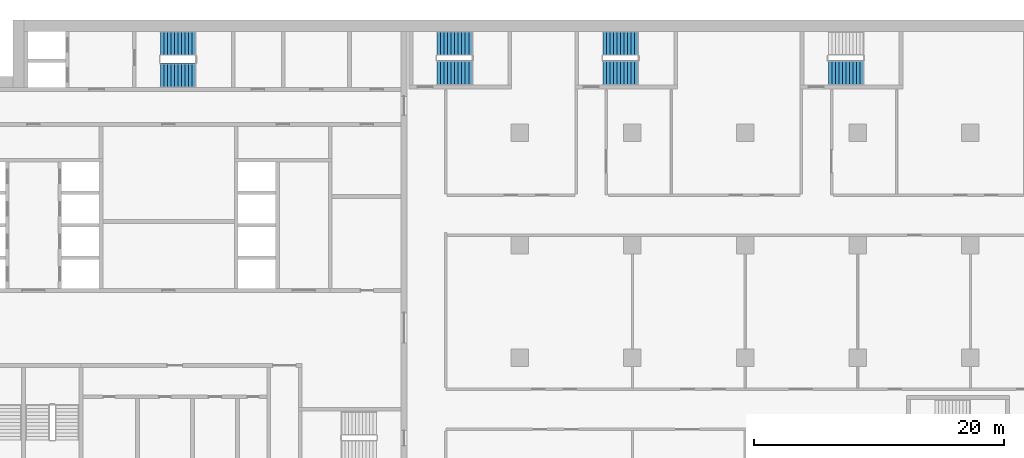
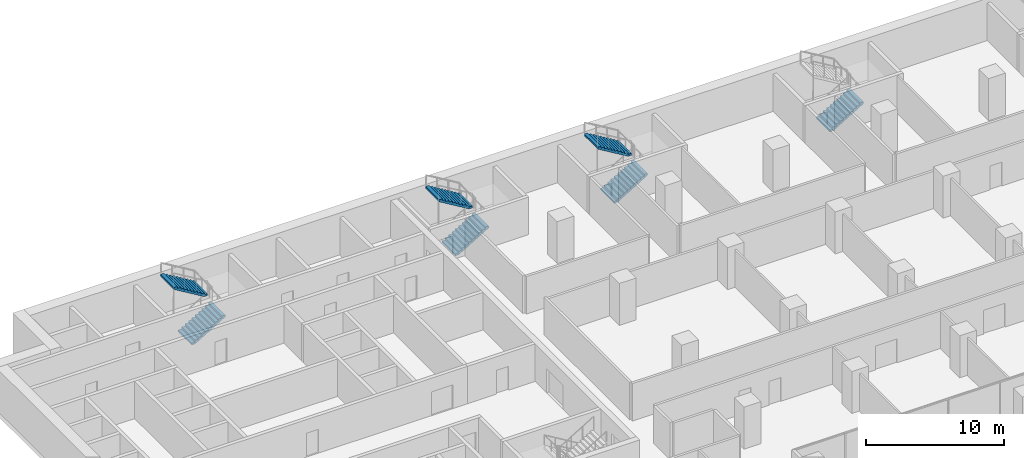
# One storey, part 21 of 28: 7 stair flights, 4 elements without a shape of their own.
"""IFC4 building model written with IfcOpenShell, lengths in metres."""

from ifc_helpers import new_model, si_unit, direction, frame, origin, place, context, subcontext, project, spatial, polyline, outline, extrude, material, type_object, element, aggregate, save


model = new_model("IFC4")

# Units and contexts
model_context = context("Model", 3, precision=1e-05, world=origin(), true_north=direction((0.0, 1.0)))
body_context = subcontext(model_context, "Body", "Model", "MODEL_VIEW")
ifc_project = project(units=[si_unit("LENGTHUNIT", "METRE"), si_unit("AREAUNIT", "SQUARE_METRE"), si_unit("VOLUMEUNIT", "CUBIC_METRE"), si_unit("PLANEANGLEUNIT", "RADIAN"), si_unit("MASSUNIT", "GRAM", prefix="KILO")], contexts=[model_context])

# Site, building, storey
site_placement = place(None, origin())
site = spatial("IfcSite", under=ifc_project, at=site_placement, CompositionType="ELEMENT")
building_placement = place(site_placement, origin())
building = spatial("IfcBuilding", under=site, at=building_placement, Name="Hunhe Ridgeline Campus", CompositionType="ELEMENT")
storey_placement = place(building_placement, frame((0.0, 0.0, 61.699951171875)))
storey = spatial("IfcBuildingStorey", under=building, at=storey_placement, Name="L14", CompositionType="ELEMENT", Elevation=61.699951171875)

# Stair, stair flights
ifc_material = material(Name="Concrete C40", Category="concrete")
stair_type = type_object("IfcStairType", Name="Reinforced concrete dog-leg stair 1950 Concrete C40", PredefinedType="HALF_TURN_STAIR", material=ifc_material)
stair_1_placement = place(storey_placement, origin())
stair_1 = element("IfcStair", 1, at=stair_1_placement, inside=storey, type_object=stair_type, Name="L14 S1", PredefinedType="HALF_TURN_STAIR")
stair_flight_type = type_object("IfcStairFlightType", Name="Reinforced concrete stair flight 1950 Concrete C40", PredefinedType="STRAIGHT", material=ifc_material)
stair_flight_1_placement = place(storey_placement, frame((16.300048828125, 94.574951171875, 0.0), z_axis=(0.0, 0.0, 1.0), x_axis=(1.0, 0.0, 0.0)))
stair_flight_1 = element("IfcStairFlight", 2, at=stair_flight_1_placement, type_object=stair_flight_type, Name="ST1 flight 1", NumberOfRisers=11, NumberOfTreads=10, PredefinedType="STRAIGHT", RiserHeight=0.168181818, TreadLength=0.28, context=body_context, shape_type="SweptSolid", body=[
    extrude(outline(polyline([(0.0, 0.0), (0.0, 0.168212890625), (0.280029296875, 0.168212890625), (0.280029296875, 0.33642578125), (0.56005859375, 0.33642578125), (0.56005859375, 0.504638671875), (0.840087890625, 0.504638671875), (0.840087890625, 0.672607421875), (1.1201171875, 0.672607421875), (1.1201171875, 0.8408203125), (1.39990234375, 0.8408203125), (1.39990234375, 1.009033203125), (1.679931640625, 1.009033203125), (1.679931640625, 1.17724609375), (1.9599609375, 1.17724609375), (1.9599609375, 1.345458984375), (2.239990234375, 1.345458984375), (2.239990234375, 1.513671875), (2.52001953125, 1.513671875), (2.52001953125, 1.681884765625), (2.800048828125, 1.681884765625), (2.800048828125, 1.85009765625), (2.800048828125, 1.5068359375), (0.291015625, 0.0), (0.0, 0.0)])), frame((0.0, 0.97509765625, 0.0), z_axis=(0.0, -1.0, 0.0), x_axis=(1.0, 0.0, 0.0)), (0.0, 0.0, 1.0), 1.949951171875),
    extrude(outline(polyline([(0.030029296875, 0.030029296875), (0.030029296875, 0.13818359375), (0.31005859375, 0.13818359375), (0.31005859375, 0.306396484375), (0.590087890625, 0.306396484375), (0.590087890625, 0.474609375), (0.8701171875, 0.474609375), (0.8701171875, 0.642578125), (1.14990234375, 0.642578125), (1.14990234375, 0.810791015625), (1.429931640625, 0.810791015625), (1.429931640625, 0.97900390625), (1.7099609375, 0.97900390625), (1.7099609375, 1.147216796875), (1.989990234375, 1.147216796875), (1.989990234375, 1.3154296875), (2.27001953125, 1.3154296875), (2.27001953125, 1.483642578125), (2.550048828125, 1.483642578125), (2.550048828125, 1.65185546875), (2.77001953125, 1.65185546875), (2.77001953125, 1.52392578125), (0.28271484375, 0.030029296875), (0.030029296875, 0.030029296875)])), frame((0.0, -0.070068359375, 0.0), z_axis=(0.0, -1.0, 0.0), x_axis=(1.0, 0.0, 0.0)), (0.0, 0.0, 1.0), 0.019775390625),
    extrude(outline(polyline([(0.030029296875, 0.030029296875), (0.030029296875, 0.13818359375), (0.31005859375, 0.13818359375), (0.31005859375, 0.306396484375), (0.590087890625, 0.306396484375), (0.590087890625, 0.474609375), (0.8701171875, 0.474609375), (0.8701171875, 0.642578125), (1.14990234375, 0.642578125), (1.14990234375, 0.810791015625), (1.429931640625, 0.810791015625), (1.429931640625, 0.97900390625), (1.7099609375, 0.97900390625), (1.7099609375, 1.147216796875), (1.989990234375, 1.147216796875), (1.989990234375, 1.3154296875), (2.27001953125, 1.3154296875), (2.27001953125, 1.483642578125), (2.550048828125, 1.483642578125), (2.550048828125, 1.65185546875), (2.77001953125, 1.65185546875), (2.77001953125, 1.52392578125), (0.28271484375, 0.030029296875), (0.030029296875, 0.030029296875)])), frame((0.0, 0.010009765625, 0.0), z_axis=(0.0, -1.0, 0.0), x_axis=(1.0, 0.0, 0.0)), (0.0, 0.0, 1.0), 0.019775390625),
    extrude(outline(polyline([(0.030029296875, 0.030029296875), (0.030029296875, 0.13818359375), (0.31005859375, 0.13818359375), (0.31005859375, 0.306396484375), (0.590087890625, 0.306396484375), (0.590087890625, 0.474609375), (0.8701171875, 0.474609375), (0.8701171875, 0.642578125), (1.14990234375, 0.642578125), (1.14990234375, 0.810791015625), (1.429931640625, 0.810791015625), (1.429931640625, 0.97900390625), (1.7099609375, 0.97900390625), (1.7099609375, 1.147216796875), (1.989990234375, 1.147216796875), (1.989990234375, 1.3154296875), (2.27001953125, 1.3154296875), (2.27001953125, 1.483642578125), (2.550048828125, 1.483642578125), (2.550048828125, 1.65185546875), (2.77001953125, 1.65185546875), (2.77001953125, 1.52392578125), (0.28271484375, 0.030029296875), (0.030029296875, 0.030029296875)])), frame((0.0, 0.090087890625, 0.0), z_axis=(0.0, -1.0, 0.0), x_axis=(1.0, 0.0, 0.0)), (0.0, 0.0, 1.0), 0.019775390625),
])
stair_flight_2_placement = place(storey_placement, frame((19.10009765625, 97.125, 1.85009765625), z_axis=(0.0, 0.0, 1.0), x_axis=(-1.0, 0.0, 0.0)))
stair_flight_2 = element("IfcStairFlight", 3, at=stair_flight_2_placement, type_object=stair_flight_type, Name="ST1 flight 2", NumberOfRisers=11, NumberOfTreads=10, PredefinedType="STRAIGHT", RiserHeight=0.168181818, TreadLength=0.28, context=body_context, shape_type="SweptSolid", body=[
    extrude(outline(polyline([(0.0, 0.0), (0.0, 0.168212890625), (0.280029296875, 0.168212890625), (0.280029296875, 0.33642578125), (0.56005859375, 0.33642578125), (0.56005859375, 0.504638671875), (0.840087890625, 0.504638671875), (0.840087890625, 0.672607421875), (1.1201171875, 0.672607421875), (1.1201171875, 0.8408203125), (1.39990234375, 0.8408203125), (1.39990234375, 1.009033203125), (1.679931640625, 1.009033203125), (1.679931640625, 1.17724609375), (1.9599609375, 1.17724609375), (1.9599609375, 1.345458984375), (2.239990234375, 1.345458984375), (2.239990234375, 1.513671875), (2.52001953125, 1.513671875), (2.52001953125, 1.681884765625), (2.800048828125, 1.681884765625), (2.800048828125, 1.85009765625), (2.800048828125, 1.5068359375), (0.291015625, 0.0), (0.0, 0.0)])), frame((0.0, 0.97509765625, 0.0), z_axis=(0.0, -1.0, 0.0), x_axis=(1.0, 0.0, 0.0)), (0.0, 0.0, 1.0), 1.949951171875),
    extrude(outline(polyline([(0.030029296875, 0.030029296875), (0.030029296875, 0.13818359375), (0.31005859375, 0.13818359375), (0.31005859375, 0.306396484375), (0.590087890625, 0.306396484375), (0.590087890625, 0.474609375), (0.8701171875, 0.474609375), (0.8701171875, 0.642578125), (1.14990234375, 0.642578125), (1.14990234375, 0.810791015625), (1.429931640625, 0.810791015625), (1.429931640625, 0.97900390625), (1.7099609375, 0.97900390625), (1.7099609375, 1.147216796875), (1.989990234375, 1.147216796875), (1.989990234375, 1.3154296875), (2.27001953125, 1.3154296875), (2.27001953125, 1.483642578125), (2.550048828125, 1.483642578125), (2.550048828125, 1.65185546875), (2.77001953125, 1.65185546875), (2.77001953125, 1.52392578125), (0.28271484375, 0.030029296875), (0.030029296875, 0.030029296875)])), frame((0.0, -0.070068359375, 0.0), z_axis=(0.0, -1.0, 0.0), x_axis=(1.0, 0.0, 0.0)), (0.0, 0.0, 1.0), 0.019775390625),
    extrude(outline(polyline([(0.030029296875, 0.030029296875), (0.030029296875, 0.13818359375), (0.31005859375, 0.13818359375), (0.31005859375, 0.306396484375), (0.590087890625, 0.306396484375), (0.590087890625, 0.474609375), (0.8701171875, 0.474609375), (0.8701171875, 0.642578125), (1.14990234375, 0.642578125), (1.14990234375, 0.810791015625), (1.429931640625, 0.810791015625), (1.429931640625, 0.97900390625), (1.7099609375, 0.97900390625), (1.7099609375, 1.147216796875), (1.989990234375, 1.147216796875), (1.989990234375, 1.3154296875), (2.27001953125, 1.3154296875), (2.27001953125, 1.483642578125), (2.550048828125, 1.483642578125), (2.550048828125, 1.65185546875), (2.77001953125, 1.65185546875), (2.77001953125, 1.52392578125), (0.28271484375, 0.030029296875), (0.030029296875, 0.030029296875)])), frame((0.0, 0.010009765625, 0.0), z_axis=(0.0, -1.0, 0.0), x_axis=(1.0, 0.0, 0.0)), (0.0, 0.0, 1.0), 0.019775390625),
    extrude(outline(polyline([(0.030029296875, 0.030029296875), (0.030029296875, 0.13818359375), (0.31005859375, 0.13818359375), (0.31005859375, 0.306396484375), (0.590087890625, 0.306396484375), (0.590087890625, 0.474609375), (0.8701171875, 0.474609375), (0.8701171875, 0.642578125), (1.14990234375, 0.642578125), (1.14990234375, 0.810791015625), (1.429931640625, 0.810791015625), (1.429931640625, 0.97900390625), (1.7099609375, 0.97900390625), (1.7099609375, 1.147216796875), (1.989990234375, 1.147216796875), (1.989990234375, 1.3154296875), (2.27001953125, 1.3154296875), (2.27001953125, 1.483642578125), (2.550048828125, 1.483642578125), (2.550048828125, 1.65185546875), (2.77001953125, 1.65185546875), (2.77001953125, 1.52392578125), (0.28271484375, 0.030029296875), (0.030029296875, 0.030029296875)])), frame((0.0, 0.090087890625, 0.0), z_axis=(0.0, -1.0, 0.0), x_axis=(1.0, 0.0, 0.0)), (0.0, 0.0, 1.0), 0.019775390625),
])
aggregate(stair_1, [stair_flight_1, stair_flight_2])

stair_2_placement = place(storey_placement, origin())
stair_2 = element("IfcStair", 4, at=stair_2_placement, inside=storey, type_object=stair_type, Name="L14 E1", PredefinedType="HALF_TURN_STAIR")
stair_flight_3_placement = place(storey_placement, frame((38.39990234375, 94.77490234375, 0.0), z_axis=(0.0, 0.0, 1.0), x_axis=(1.0, 0.0, 0.0)))
stair_flight_3 = element("IfcStairFlight", 5, at=stair_flight_3_placement, type_object=stair_flight_type, Name="ST5 flight 1", NumberOfRisers=11, NumberOfTreads=10, PredefinedType="STRAIGHT", RiserHeight=0.168181818, TreadLength=0.28, context=body_context, shape_type="SweptSolid", body=[
    extrude(outline(polyline([(0.0, 0.0), (0.0, 0.168212890625), (0.280029296875, 0.168212890625), (0.280029296875, 0.33642578125), (0.56005859375, 0.33642578125), (0.56005859375, 0.504638671875), (0.840087890625, 0.504638671875), (0.840087890625, 0.672607421875), (1.1201171875, 0.672607421875), (1.1201171875, 0.8408203125), (1.39990234375, 0.8408203125), (1.39990234375, 1.009033203125), (1.679931640625, 1.009033203125), (1.679931640625, 1.17724609375), (1.9599609375, 1.17724609375), (1.9599609375, 1.345458984375), (2.239990234375, 1.345458984375), (2.239990234375, 1.513671875), (2.52001953125, 1.513671875), (2.52001953125, 1.681884765625), (2.800048828125, 1.681884765625), (2.800048828125, 1.85009765625), (2.800048828125, 1.5068359375), (0.291015625, 0.0), (0.0, 0.0)])), frame((0.0, 0.97509765625, 0.0), z_axis=(0.0, -1.0, 0.0), x_axis=(1.0, 0.0, 0.0)), (0.0, 0.0, 1.0), 1.949951171875),
    extrude(outline(polyline([(0.030029296875, 0.030029296875), (0.030029296875, 0.13818359375), (0.31005859375, 0.13818359375), (0.31005859375, 0.306396484375), (0.590087890625, 0.306396484375), (0.590087890625, 0.474609375), (0.8701171875, 0.474609375), (0.8701171875, 0.642578125), (1.14990234375, 0.642578125), (1.14990234375, 0.810791015625), (1.429931640625, 0.810791015625), (1.429931640625, 0.97900390625), (1.7099609375, 0.97900390625), (1.7099609375, 1.147216796875), (1.989990234375, 1.147216796875), (1.989990234375, 1.3154296875), (2.27001953125, 1.3154296875), (2.27001953125, 1.483642578125), (2.550048828125, 1.483642578125), (2.550048828125, 1.65185546875), (2.77001953125, 1.65185546875), (2.77001953125, 1.52392578125), (0.28271484375, 0.030029296875), (0.030029296875, 0.030029296875)])), frame((0.0, -0.070068359375, 0.0), z_axis=(0.0, -1.0, 0.0), x_axis=(1.0, 0.0, 0.0)), (0.0, 0.0, 1.0), 0.019775390625),
    extrude(outline(polyline([(0.030029296875, 0.030029296875), (0.030029296875, 0.13818359375), (0.31005859375, 0.13818359375), (0.31005859375, 0.306396484375), (0.590087890625, 0.306396484375), (0.590087890625, 0.474609375), (0.8701171875, 0.474609375), (0.8701171875, 0.642578125), (1.14990234375, 0.642578125), (1.14990234375, 0.810791015625), (1.429931640625, 0.810791015625), (1.429931640625, 0.97900390625), (1.7099609375, 0.97900390625), (1.7099609375, 1.147216796875), (1.989990234375, 1.147216796875), (1.989990234375, 1.3154296875), (2.27001953125, 1.3154296875), (2.27001953125, 1.483642578125), (2.550048828125, 1.483642578125), (2.550048828125, 1.65185546875), (2.77001953125, 1.65185546875), (2.77001953125, 1.52392578125), (0.28271484375, 0.030029296875), (0.030029296875, 0.030029296875)])), frame((0.0, 0.010009765625, 0.0), z_axis=(0.0, -1.0, 0.0), x_axis=(1.0, 0.0, 0.0)), (0.0, 0.0, 1.0), 0.019775390625),
    extrude(outline(polyline([(0.030029296875, 0.030029296875), (0.030029296875, 0.13818359375), (0.31005859375, 0.13818359375), (0.31005859375, 0.306396484375), (0.590087890625, 0.306396484375), (0.590087890625, 0.474609375), (0.8701171875, 0.474609375), (0.8701171875, 0.642578125), (1.14990234375, 0.642578125), (1.14990234375, 0.810791015625), (1.429931640625, 0.810791015625), (1.429931640625, 0.97900390625), (1.7099609375, 0.97900390625), (1.7099609375, 1.147216796875), (1.989990234375, 1.147216796875), (1.989990234375, 1.3154296875), (2.27001953125, 1.3154296875), (2.27001953125, 1.483642578125), (2.550048828125, 1.483642578125), (2.550048828125, 1.65185546875), (2.77001953125, 1.65185546875), (2.77001953125, 1.52392578125), (0.28271484375, 0.030029296875), (0.030029296875, 0.030029296875)])), frame((0.0, 0.090087890625, 0.0), z_axis=(0.0, -1.0, 0.0), x_axis=(1.0, 0.0, 0.0)), (0.0, 0.0, 1.0), 0.019775390625),
])
stair_flight_4_placement = place(storey_placement, frame((41.199951171875, 97.125, 1.85009765625), z_axis=(0.0, 0.0, 1.0), x_axis=(-1.0, 0.0, 0.0)))
stair_flight_4 = element("IfcStairFlight", 6, at=stair_flight_4_placement, type_object=stair_flight_type, Name="ST5 flight 2", NumberOfRisers=11, NumberOfTreads=10, PredefinedType="STRAIGHT", RiserHeight=0.168181818, TreadLength=0.28, context=body_context, shape_type="SweptSolid", body=[
    extrude(outline(polyline([(0.0, 0.0), (0.0, 0.168212890625), (0.280029296875, 0.168212890625), (0.280029296875, 0.33642578125), (0.56005859375, 0.33642578125), (0.56005859375, 0.504638671875), (0.840087890625, 0.504638671875), (0.840087890625, 0.672607421875), (1.1201171875, 0.672607421875), (1.1201171875, 0.8408203125), (1.39990234375, 0.8408203125), (1.39990234375, 1.009033203125), (1.679931640625, 1.009033203125), (1.679931640625, 1.17724609375), (1.9599609375, 1.17724609375), (1.9599609375, 1.345458984375), (2.239990234375, 1.345458984375), (2.239990234375, 1.513671875), (2.52001953125, 1.513671875), (2.52001953125, 1.681884765625), (2.800048828125, 1.681884765625), (2.800048828125, 1.85009765625), (2.800048828125, 1.5068359375), (0.291015625, 0.0), (0.0, 0.0)])), frame((0.0, 0.97509765625, 0.0), z_axis=(0.0, -1.0, 0.0), x_axis=(1.0, 0.0, 0.0)), (0.0, 0.0, 1.0), 1.949951171875),
    extrude(outline(polyline([(0.030029296875, 0.030029296875), (0.030029296875, 0.13818359375), (0.31005859375, 0.13818359375), (0.31005859375, 0.306396484375), (0.590087890625, 0.306396484375), (0.590087890625, 0.474609375), (0.8701171875, 0.474609375), (0.8701171875, 0.642578125), (1.14990234375, 0.642578125), (1.14990234375, 0.810791015625), (1.429931640625, 0.810791015625), (1.429931640625, 0.97900390625), (1.7099609375, 0.97900390625), (1.7099609375, 1.147216796875), (1.989990234375, 1.147216796875), (1.989990234375, 1.3154296875), (2.27001953125, 1.3154296875), (2.27001953125, 1.483642578125), (2.550048828125, 1.483642578125), (2.550048828125, 1.65185546875), (2.77001953125, 1.65185546875), (2.77001953125, 1.52392578125), (0.28271484375, 0.030029296875), (0.030029296875, 0.030029296875)])), frame((0.0, -0.070068359375, 0.0), z_axis=(0.0, -1.0, 0.0), x_axis=(1.0, 0.0, 0.0)), (0.0, 0.0, 1.0), 0.019775390625),
    extrude(outline(polyline([(0.030029296875, 0.030029296875), (0.030029296875, 0.13818359375), (0.31005859375, 0.13818359375), (0.31005859375, 0.306396484375), (0.590087890625, 0.306396484375), (0.590087890625, 0.474609375), (0.8701171875, 0.474609375), (0.8701171875, 0.642578125), (1.14990234375, 0.642578125), (1.14990234375, 0.810791015625), (1.429931640625, 0.810791015625), (1.429931640625, 0.97900390625), (1.7099609375, 0.97900390625), (1.7099609375, 1.147216796875), (1.989990234375, 1.147216796875), (1.989990234375, 1.3154296875), (2.27001953125, 1.3154296875), (2.27001953125, 1.483642578125), (2.550048828125, 1.483642578125), (2.550048828125, 1.65185546875), (2.77001953125, 1.65185546875), (2.77001953125, 1.52392578125), (0.28271484375, 0.030029296875), (0.030029296875, 0.030029296875)])), frame((0.0, 0.010009765625, 0.0), z_axis=(0.0, -1.0, 0.0), x_axis=(1.0, 0.0, 0.0)), (0.0, 0.0, 1.0), 0.019775390625),
    extrude(outline(polyline([(0.030029296875, 0.030029296875), (0.030029296875, 0.13818359375), (0.31005859375, 0.13818359375), (0.31005859375, 0.306396484375), (0.590087890625, 0.306396484375), (0.590087890625, 0.474609375), (0.8701171875, 0.474609375), (0.8701171875, 0.642578125), (1.14990234375, 0.642578125), (1.14990234375, 0.810791015625), (1.429931640625, 0.810791015625), (1.429931640625, 0.97900390625), (1.7099609375, 0.97900390625), (1.7099609375, 1.147216796875), (1.989990234375, 1.147216796875), (1.989990234375, 1.3154296875), (2.27001953125, 1.3154296875), (2.27001953125, 1.483642578125), (2.550048828125, 1.483642578125), (2.550048828125, 1.65185546875), (2.77001953125, 1.65185546875), (2.77001953125, 1.52392578125), (0.28271484375, 0.030029296875), (0.030029296875, 0.030029296875)])), frame((0.0, 0.090087890625, 0.0), z_axis=(0.0, -1.0, 0.0), x_axis=(1.0, 0.0, 0.0)), (0.0, 0.0, 1.0), 0.019775390625),
])
aggregate(stair_2, [stair_flight_3, stair_flight_4])

stair_3_placement = place(storey_placement, origin())
stair_3 = element("IfcStair", 7, at=stair_3_placement, inside=storey, type_object=stair_type, Name="L14 E2", PredefinedType="HALF_TURN_STAIR")
stair_flight_5_placement = place(storey_placement, frame((51.64990234375, 94.77490234375, 0.0), z_axis=(0.0, 0.0, 1.0), x_axis=(1.0, 0.0, 0.0)))
stair_flight_5 = element("IfcStairFlight", 8, at=stair_flight_5_placement, type_object=stair_flight_type, Name="ST6 flight 1", NumberOfRisers=11, NumberOfTreads=10, PredefinedType="STRAIGHT", RiserHeight=0.168181818, TreadLength=0.28, context=body_context, shape_type="SweptSolid", body=[
    extrude(outline(polyline([(0.0, 0.0), (0.0, 0.168212890625), (0.280029296875, 0.168212890625), (0.280029296875, 0.33642578125), (0.56005859375, 0.33642578125), (0.56005859375, 0.504638671875), (0.840087890625, 0.504638671875), (0.840087890625, 0.672607421875), (1.1201171875, 0.672607421875), (1.1201171875, 0.8408203125), (1.39990234375, 0.8408203125), (1.39990234375, 1.009033203125), (1.679931640625, 1.009033203125), (1.679931640625, 1.17724609375), (1.9599609375, 1.17724609375), (1.9599609375, 1.345458984375), (2.239990234375, 1.345458984375), (2.239990234375, 1.513671875), (2.52001953125, 1.513671875), (2.52001953125, 1.681884765625), (2.800048828125, 1.681884765625), (2.800048828125, 1.85009765625), (2.800048828125, 1.5068359375), (0.291015625, 0.0), (0.0, 0.0)])), frame((0.0, 0.97509765625, 0.0), z_axis=(0.0, -1.0, 0.0), x_axis=(1.0, 0.0, 0.0)), (0.0, 0.0, 1.0), 1.949951171875),
    extrude(outline(polyline([(0.030029296875, 0.030029296875), (0.030029296875, 0.13818359375), (0.31005859375, 0.13818359375), (0.31005859375, 0.306396484375), (0.590087890625, 0.306396484375), (0.590087890625, 0.474609375), (0.8701171875, 0.474609375), (0.8701171875, 0.642578125), (1.14990234375, 0.642578125), (1.14990234375, 0.810791015625), (1.429931640625, 0.810791015625), (1.429931640625, 0.97900390625), (1.7099609375, 0.97900390625), (1.7099609375, 1.147216796875), (1.989990234375, 1.147216796875), (1.989990234375, 1.3154296875), (2.27001953125, 1.3154296875), (2.27001953125, 1.483642578125), (2.550048828125, 1.483642578125), (2.550048828125, 1.65185546875), (2.77001953125, 1.65185546875), (2.77001953125, 1.52392578125), (0.28271484375, 0.030029296875), (0.030029296875, 0.030029296875)])), frame((0.0, -0.070068359375, 0.0), z_axis=(0.0, -1.0, 0.0), x_axis=(1.0, 0.0, 0.0)), (0.0, 0.0, 1.0), 0.019775390625),
    extrude(outline(polyline([(0.030029296875, 0.030029296875), (0.030029296875, 0.13818359375), (0.31005859375, 0.13818359375), (0.31005859375, 0.306396484375), (0.590087890625, 0.306396484375), (0.590087890625, 0.474609375), (0.8701171875, 0.474609375), (0.8701171875, 0.642578125), (1.14990234375, 0.642578125), (1.14990234375, 0.810791015625), (1.429931640625, 0.810791015625), (1.429931640625, 0.97900390625), (1.7099609375, 0.97900390625), (1.7099609375, 1.147216796875), (1.989990234375, 1.147216796875), (1.989990234375, 1.3154296875), (2.27001953125, 1.3154296875), (2.27001953125, 1.483642578125), (2.550048828125, 1.483642578125), (2.550048828125, 1.65185546875), (2.77001953125, 1.65185546875), (2.77001953125, 1.52392578125), (0.28271484375, 0.030029296875), (0.030029296875, 0.030029296875)])), frame((0.0, 0.010009765625, 0.0), z_axis=(0.0, -1.0, 0.0), x_axis=(1.0, 0.0, 0.0)), (0.0, 0.0, 1.0), 0.019775390625),
    extrude(outline(polyline([(0.030029296875, 0.030029296875), (0.030029296875, 0.13818359375), (0.31005859375, 0.13818359375), (0.31005859375, 0.306396484375), (0.590087890625, 0.306396484375), (0.590087890625, 0.474609375), (0.8701171875, 0.474609375), (0.8701171875, 0.642578125), (1.14990234375, 0.642578125), (1.14990234375, 0.810791015625), (1.429931640625, 0.810791015625), (1.429931640625, 0.97900390625), (1.7099609375, 0.97900390625), (1.7099609375, 1.147216796875), (1.989990234375, 1.147216796875), (1.989990234375, 1.3154296875), (2.27001953125, 1.3154296875), (2.27001953125, 1.483642578125), (2.550048828125, 1.483642578125), (2.550048828125, 1.65185546875), (2.77001953125, 1.65185546875), (2.77001953125, 1.52392578125), (0.28271484375, 0.030029296875), (0.030029296875, 0.030029296875)])), frame((0.0, 0.090087890625, 0.0), z_axis=(0.0, -1.0, 0.0), x_axis=(1.0, 0.0, 0.0)), (0.0, 0.0, 1.0), 0.019775390625),
])
stair_flight_6_placement = place(storey_placement, frame((54.449951171875, 97.125, 1.85009765625), z_axis=(0.0, 0.0, 1.0), x_axis=(-1.0, 0.0, 0.0)))
stair_flight_6 = element("IfcStairFlight", 9, at=stair_flight_6_placement, type_object=stair_flight_type, Name="ST6 flight 2", NumberOfRisers=11, NumberOfTreads=10, PredefinedType="STRAIGHT", RiserHeight=0.168181818, TreadLength=0.28, context=body_context, shape_type="SweptSolid", body=[
    extrude(outline(polyline([(0.0, 0.0), (0.0, 0.168212890625), (0.280029296875, 0.168212890625), (0.280029296875, 0.33642578125), (0.56005859375, 0.33642578125), (0.56005859375, 0.504638671875), (0.840087890625, 0.504638671875), (0.840087890625, 0.672607421875), (1.1201171875, 0.672607421875), (1.1201171875, 0.8408203125), (1.39990234375, 0.8408203125), (1.39990234375, 1.009033203125), (1.679931640625, 1.009033203125), (1.679931640625, 1.17724609375), (1.9599609375, 1.17724609375), (1.9599609375, 1.345458984375), (2.239990234375, 1.345458984375), (2.239990234375, 1.513671875), (2.52001953125, 1.513671875), (2.52001953125, 1.681884765625), (2.800048828125, 1.681884765625), (2.800048828125, 1.85009765625), (2.800048828125, 1.5068359375), (0.291015625, 0.0), (0.0, 0.0)])), frame((0.0, 0.97509765625, 0.0), z_axis=(0.0, -1.0, 0.0), x_axis=(1.0, 0.0, 0.0)), (0.0, 0.0, 1.0), 1.949951171875),
    extrude(outline(polyline([(0.030029296875, 0.030029296875), (0.030029296875, 0.13818359375), (0.31005859375, 0.13818359375), (0.31005859375, 0.306396484375), (0.590087890625, 0.306396484375), (0.590087890625, 0.474609375), (0.8701171875, 0.474609375), (0.8701171875, 0.642578125), (1.14990234375, 0.642578125), (1.14990234375, 0.810791015625), (1.429931640625, 0.810791015625), (1.429931640625, 0.97900390625), (1.7099609375, 0.97900390625), (1.7099609375, 1.147216796875), (1.989990234375, 1.147216796875), (1.989990234375, 1.3154296875), (2.27001953125, 1.3154296875), (2.27001953125, 1.483642578125), (2.550048828125, 1.483642578125), (2.550048828125, 1.65185546875), (2.77001953125, 1.65185546875), (2.77001953125, 1.52392578125), (0.28271484375, 0.030029296875), (0.030029296875, 0.030029296875)])), frame((0.0, -0.070068359375, 0.0), z_axis=(0.0, -1.0, 0.0), x_axis=(1.0, 0.0, 0.0)), (0.0, 0.0, 1.0), 0.019775390625),
    extrude(outline(polyline([(0.030029296875, 0.030029296875), (0.030029296875, 0.13818359375), (0.31005859375, 0.13818359375), (0.31005859375, 0.306396484375), (0.590087890625, 0.306396484375), (0.590087890625, 0.474609375), (0.8701171875, 0.474609375), (0.8701171875, 0.642578125), (1.14990234375, 0.642578125), (1.14990234375, 0.810791015625), (1.429931640625, 0.810791015625), (1.429931640625, 0.97900390625), (1.7099609375, 0.97900390625), (1.7099609375, 1.147216796875), (1.989990234375, 1.147216796875), (1.989990234375, 1.3154296875), (2.27001953125, 1.3154296875), (2.27001953125, 1.483642578125), (2.550048828125, 1.483642578125), (2.550048828125, 1.65185546875), (2.77001953125, 1.65185546875), (2.77001953125, 1.52392578125), (0.28271484375, 0.030029296875), (0.030029296875, 0.030029296875)])), frame((0.0, 0.010009765625, 0.0), z_axis=(0.0, -1.0, 0.0), x_axis=(1.0, 0.0, 0.0)), (0.0, 0.0, 1.0), 0.019775390625),
    extrude(outline(polyline([(0.030029296875, 0.030029296875), (0.030029296875, 0.13818359375), (0.31005859375, 0.13818359375), (0.31005859375, 0.306396484375), (0.590087890625, 0.306396484375), (0.590087890625, 0.474609375), (0.8701171875, 0.474609375), (0.8701171875, 0.642578125), (1.14990234375, 0.642578125), (1.14990234375, 0.810791015625), (1.429931640625, 0.810791015625), (1.429931640625, 0.97900390625), (1.7099609375, 0.97900390625), (1.7099609375, 1.147216796875), (1.989990234375, 1.147216796875), (1.989990234375, 1.3154296875), (2.27001953125, 1.3154296875), (2.27001953125, 1.483642578125), (2.550048828125, 1.483642578125), (2.550048828125, 1.65185546875), (2.77001953125, 1.65185546875), (2.77001953125, 1.52392578125), (0.28271484375, 0.030029296875), (0.030029296875, 0.030029296875)])), frame((0.0, 0.090087890625, 0.0), z_axis=(0.0, -1.0, 0.0), x_axis=(1.0, 0.0, 0.0)), (0.0, 0.0, 1.0), 0.019775390625),
])
aggregate(stair_3, [stair_flight_5, stair_flight_6])

# Stair, stair flight
stair_4_placement = place(storey_placement, origin())
stair_4 = element("IfcStair", 10, at=stair_4_placement, inside=storey, type_object=stair_type, Name="L14 E3", PredefinedType="HALF_TURN_STAIR")
stair_flight_7_placement = place(storey_placement, frame((69.64990234375, 94.77490234375, 0.0), z_axis=(0.0, 0.0, 1.0), x_axis=(1.0, 0.0, 0.0)))
stair_flight_7 = element("IfcStairFlight", 11, at=stair_flight_7_placement, type_object=stair_flight_type, Name="ST7 flight 1", NumberOfRisers=11, NumberOfTreads=10, PredefinedType="STRAIGHT", RiserHeight=0.168181818, TreadLength=0.28, context=body_context, shape_type="SweptSolid", body=[
    extrude(outline(polyline([(0.0, 0.0), (0.0, 0.168212890625), (0.280029296875, 0.168212890625), (0.280029296875, 0.33642578125), (0.56005859375, 0.33642578125), (0.56005859375, 0.504638671875), (0.840087890625, 0.504638671875), (0.840087890625, 0.672607421875), (1.1201171875, 0.672607421875), (1.1201171875, 0.8408203125), (1.39990234375, 0.8408203125), (1.39990234375, 1.009033203125), (1.679931640625, 1.009033203125), (1.679931640625, 1.17724609375), (1.9599609375, 1.17724609375), (1.9599609375, 1.345458984375), (2.239990234375, 1.345458984375), (2.239990234375, 1.513671875), (2.52001953125, 1.513671875), (2.52001953125, 1.681884765625), (2.800048828125, 1.681884765625), (2.800048828125, 1.85009765625), (2.800048828125, 1.5068359375), (0.291015625, 0.0), (0.0, 0.0)])), frame((0.0, 0.97509765625, 0.0), z_axis=(0.0, -1.0, 0.0), x_axis=(1.0, 0.0, 0.0)), (0.0, 0.0, 1.0), 1.949951171875),
    extrude(outline(polyline([(0.030029296875, 0.030029296875), (0.030029296875, 0.13818359375), (0.31005859375, 0.13818359375), (0.31005859375, 0.306396484375), (0.590087890625, 0.306396484375), (0.590087890625, 0.474609375), (0.8701171875, 0.474609375), (0.8701171875, 0.642578125), (1.14990234375, 0.642578125), (1.14990234375, 0.810791015625), (1.429931640625, 0.810791015625), (1.429931640625, 0.97900390625), (1.7099609375, 0.97900390625), (1.7099609375, 1.147216796875), (1.989990234375, 1.147216796875), (1.989990234375, 1.3154296875), (2.27001953125, 1.3154296875), (2.27001953125, 1.483642578125), (2.550048828125, 1.483642578125), (2.550048828125, 1.65185546875), (2.77001953125, 1.65185546875), (2.77001953125, 1.52392578125), (0.28271484375, 0.030029296875), (0.030029296875, 0.030029296875)])), frame((0.0, -0.070068359375, 0.0), z_axis=(0.0, -1.0, 0.0), x_axis=(1.0, 0.0, 0.0)), (0.0, 0.0, 1.0), 0.019775390625),
    extrude(outline(polyline([(0.030029296875, 0.030029296875), (0.030029296875, 0.13818359375), (0.31005859375, 0.13818359375), (0.31005859375, 0.306396484375), (0.590087890625, 0.306396484375), (0.590087890625, 0.474609375), (0.8701171875, 0.474609375), (0.8701171875, 0.642578125), (1.14990234375, 0.642578125), (1.14990234375, 0.810791015625), (1.429931640625, 0.810791015625), (1.429931640625, 0.97900390625), (1.7099609375, 0.97900390625), (1.7099609375, 1.147216796875), (1.989990234375, 1.147216796875), (1.989990234375, 1.3154296875), (2.27001953125, 1.3154296875), (2.27001953125, 1.483642578125), (2.550048828125, 1.483642578125), (2.550048828125, 1.65185546875), (2.77001953125, 1.65185546875), (2.77001953125, 1.52392578125), (0.28271484375, 0.030029296875), (0.030029296875, 0.030029296875)])), frame((0.0, 0.010009765625, 0.0), z_axis=(0.0, -1.0, 0.0), x_axis=(1.0, 0.0, 0.0)), (0.0, 0.0, 1.0), 0.019775390625),
    extrude(outline(polyline([(0.030029296875, 0.030029296875), (0.030029296875, 0.13818359375), (0.31005859375, 0.13818359375), (0.31005859375, 0.306396484375), (0.590087890625, 0.306396484375), (0.590087890625, 0.474609375), (0.8701171875, 0.474609375), (0.8701171875, 0.642578125), (1.14990234375, 0.642578125), (1.14990234375, 0.810791015625), (1.429931640625, 0.810791015625), (1.429931640625, 0.97900390625), (1.7099609375, 0.97900390625), (1.7099609375, 1.147216796875), (1.989990234375, 1.147216796875), (1.989990234375, 1.3154296875), (2.27001953125, 1.3154296875), (2.27001953125, 1.483642578125), (2.550048828125, 1.483642578125), (2.550048828125, 1.65185546875), (2.77001953125, 1.65185546875), (2.77001953125, 1.52392578125), (0.28271484375, 0.030029296875), (0.030029296875, 0.030029296875)])), frame((0.0, 0.090087890625, 0.0), z_axis=(0.0, -1.0, 0.0), x_axis=(1.0, 0.0, 0.0)), (0.0, 0.0, 1.0), 0.019775390625),
])
aggregate(stair_4, [stair_flight_7])

save(model, "model.ifc")
